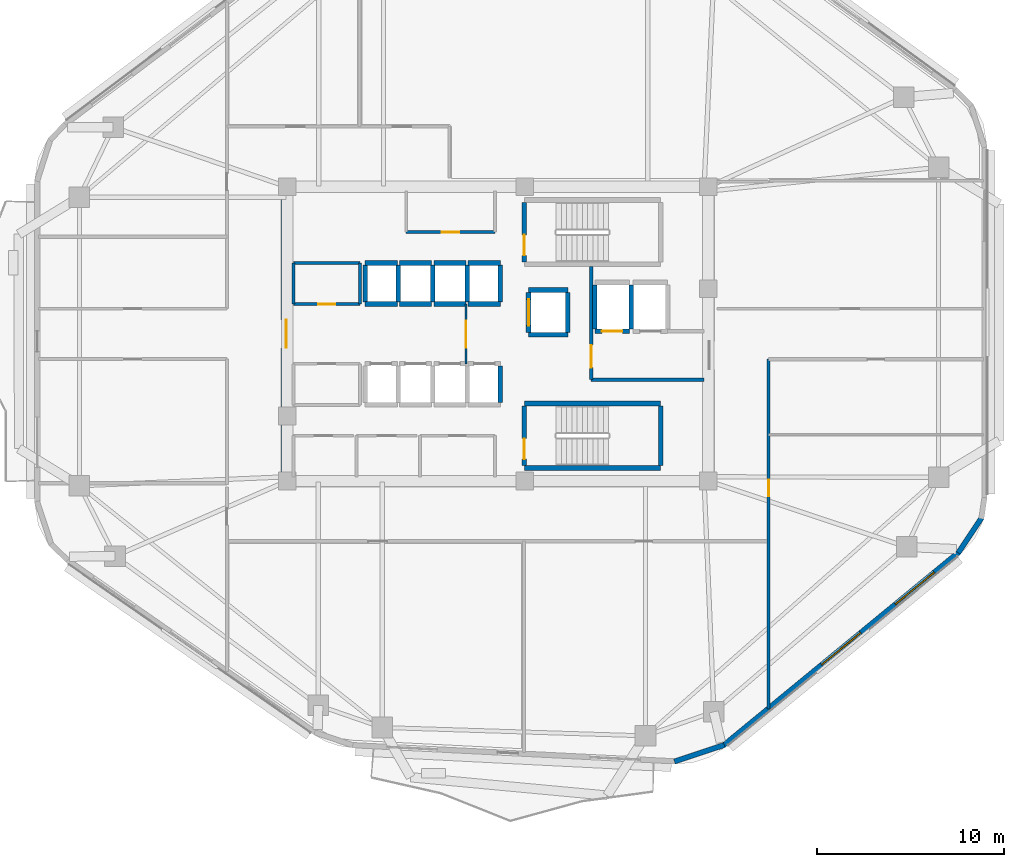
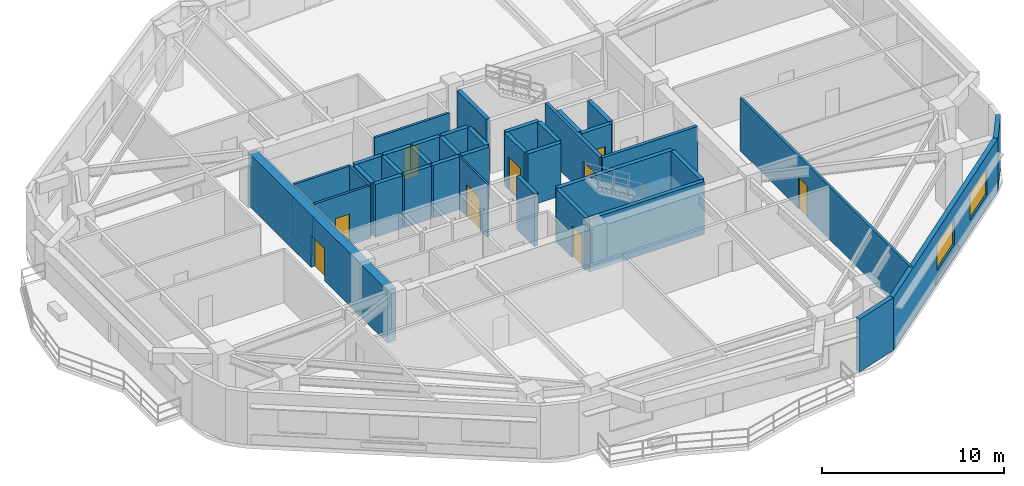
# One storey, part 4 of 9: 39 walls, 10 doors, 2 windows, 12 openings.
"""IFC4 building model written with IfcOpenShell, lengths in metres."""

from ifc_helpers import new_model, si_unit, direction, frame, frame_2d, origin, place, context, subcontext, project, spatial, rectangle, extrude, material, layer, layer_set, type_object, element, fill, save


model = new_model("IFC4")

# Units and contexts
model_context = context("Model", 3, precision=1e-05, world=origin(), true_north=direction((0.0, 1.0)))
body_context = subcontext(model_context, "Body", "Model", "MODEL_VIEW")
ifc_project = project(units=[si_unit("LENGTHUNIT", "METRE"), si_unit("AREAUNIT", "SQUARE_METRE"), si_unit("VOLUMEUNIT", "CUBIC_METRE"), si_unit("PLANEANGLEUNIT", "RADIAN"), si_unit("MASSUNIT", "GRAM", prefix="KILO")], contexts=[model_context])

# Site, building, storey
site_placement = place(None, origin())
site = spatial("IfcSite", under=ifc_project, at=site_placement, CompositionType="ELEMENT")
building_placement = place(site_placement, origin())
building = spatial("IfcBuilding", under=site, at=building_placement, Name="Zulverin Broadcast Headquarters", CompositionType="ELEMENT")
storey_placement = place(building_placement, frame((0.0, 0.0, 144.0)))
storey = spatial("IfcBuildingStorey", under=building, at=storey_placement, Name="L36", CompositionType="ELEMENT", Elevation=144.0)

# Wall, opening, door
ifc_material_1 = material(Name="Concrete C60/75", Category="concrete")
ifc_layer_1 = layer(ifc_material_1, 0.550048828125, Name="Concrete C60/75", Category="concrete")
ifc_layer_set_1 = layer_set([ifc_layer_1], Name="Concrete C60/75")
wall_type_1 = type_object("IfcWallType", Name="WL-CORE-550", PredefinedType="SHEAR", material=ifc_layer_set_1)
wall_1_placement = place(storey_placement, frame((25.675048828125, 17.550048828125, 0.0), z_axis=(0.0, 0.0, 1.0), x_axis=(0.0, 1.0, 0.0)))
wall_1 = element("IfcWall", 1, at=wall_1_placement, inside=storey, type_object=wall_type_1, Name="L36 Core West Shear Wall", PredefinedType="SHEAR", context=body_context, shape_type="SweptSolid", body=[
    extrude(rectangle(XDim=15.300048828125, YDim=0.550048828125, at=frame_2d((7.64990234375, 0.0))), origin(), (0.0, 0.0, 1.0), 3.5400390625),
])
opening_1_placement = place(wall_1_placement, frame((6.89990234375, 0.0, 0.0)))
opening_1 = element("IfcOpeningElement", 2, at=opening_1_placement, cuts=wall_1, Name="Opening D-L36-CW1", PredefinedType="OPENING", context=body_context, shape_type="SweptSolid", body=[
    extrude(rectangle(XDim=1.5, YDim=2.14990234375, at=frame_2d((0.75, 1.074951171875))), frame((0.0, 0.284912109375, 0.0), z_axis=(0.0, -1.0, 0.0), x_axis=(1.0, 0.0, 0.0)), (0.0, 0.0, 1.0), 0.570068359375),
])
ifc_material_2 = material(Name="Fire-rated glazed steel frame", Category="steel")
door_type_1 = type_object("IfcDoorType", Name="DR-COR-1500", OperationType="DOUBLE_DOOR_SINGLE_SWING", PredefinedType="DOOR", material=ifc_material_2)
door_1_placement = place(opening_1_placement, origin())
door_1 = element("IfcDoor", 3, at=door_1_placement, inside=storey, type_object=door_type_1, Name="L36 Central Lift Lobby West Portal Door", OperationType="DOUBLE_DOOR_SINGLE_SWING", OverallHeight=2.14990234375, OverallWidth=1.5, PredefinedType="DOOR", context=body_context, shape_type="SweptSolid", body=[
    extrude(rectangle(XDim=1.5, YDim=2.14990234375, at=frame_2d((0.75, 1.074951171875))), frame((0.0, 0.02490234375, 0.0), z_axis=(0.0, -1.0, 0.0), x_axis=(1.0, 0.0, 0.0)), (0.0, 0.0, 1.0), 0.050048828125),
])
fill(opening_1, door_1)

# Wall, openings, windows
ifc_material_3 = material(Name="Insulated pale-metal clad concrete spandrel C40/50", Category="concrete")
ifc_layer_2 = layer(ifc_material_3, 0.280029296875, Name="Insulated pale-metal clad concrete spandrel C40/50", Category="concrete")
ifc_layer_set_2 = layer_set([ifc_layer_2], Name="Insulated pale-metal clad concrete spandrel C40/50")
wall_type_2 = type_object("IfcWallType", Name="WL-EXT-280", PredefinedType="STANDARD", material=ifc_layer_set_2)
wall_2_placement = place(storey_placement, frame((49.080078125, 3.164306640625, 0.0), z_axis=(0.0, 0.0, 1.0), x_axis=(0.772937830186, 0.634481765433, 0.0)))
wall_2 = element("IfcWall", 4, at=wall_2_placement, inside=storey, type_object=wall_type_2, Name="L36 Pale-Metal Clad Spandrel Wall 2", PredefinedType="STANDARD", context=body_context, shape_type="SweptSolid", body=[
    extrude(rectangle(XDim=16.308837890625, YDim=0.280029296875, at=frame_2d((8.154296875, 0.0))), origin(), (0.0, 0.0, 1.0), 3.5400390625),
])
opening_2_placement = place(wall_2_placement, frame((6.804443359375, 0.0, 0.89990234375)))
opening_2 = element("IfcOpeningElement", 5, at=opening_2_placement, cuts=wall_2, Name="Opening W-L36-E21", PredefinedType="OPENING", context=body_context, shape_type="SweptSolid", body=[
    extrude(rectangle(XDim=2.699951171875, YDim=1.75, at=frame_2d((1.35009765625, 0.875))), frame((0.0, 0.14990234375, 0.0), z_axis=(0.0, -1.0, 0.0), x_axis=(1.0, 0.0, 0.0)), (0.0, 0.0, 1.0), 0.300048828125),
])
opening_3_placement = place(wall_2_placement, frame((11.9072265625, 0.0, 0.89990234375)))
opening_3 = element("IfcOpeningElement", 6, at=opening_3_placement, cuts=wall_2, Name="Opening W-L36-E22", PredefinedType="OPENING", context=body_context, shape_type="SweptSolid", body=[
    extrude(rectangle(XDim=2.699951171875, YDim=1.75, at=frame_2d((1.35009765625, 0.875))), frame((0.0, 0.14990234375, 0.0), z_axis=(0.0, -1.0, 0.0), x_axis=(1.0, 0.0, 0.0)), (0.0, 0.0, 1.0), 0.300048828125),
])
ifc_material_4 = material(Name="Pale anodized aluminium frame with solar-control low-E double glazing", Category="aluminium")
window_type = type_object("IfcWindowType", Name="WIN-TWR-2700", PartitioningType="SINGLE_PANEL", PredefinedType="WINDOW", material=ifc_material_4)
window_1_placement = place(opening_2_placement, origin())
window_1 = element("IfcWindow", 7, at=window_1_placement, inside=storey, type_object=window_type, Name="L36 Ribbon Glazing Window 2 1", OverallHeight=1.75, OverallWidth=2.699951171875, PartitioningType="SINGLE_PANEL", PredefinedType="WINDOW", context=body_context, shape_type="SweptSolid", body=[
    extrude(rectangle(XDim=2.699951171875, YDim=1.75, at=frame_2d((1.35009765625, 0.875))), frame((0.0, 0.030029296875, 0.0), z_axis=(0.0, -1.0, 0.0), x_axis=(1.0, 0.0, 0.0)), (0.0, 0.0, 1.0), 0.06005859375),
])
fill(opening_2, window_1)
window_2_placement = place(opening_3_placement, origin())
window_2 = element("IfcWindow", 8, at=window_2_placement, inside=storey, type_object=window_type, Name="L36 Ribbon Glazing Window 2 2", OverallHeight=1.75, OverallWidth=2.699951171875, PartitioningType="SINGLE_PANEL", PredefinedType="WINDOW", context=body_context, shape_type="SweptSolid", body=[
    extrude(rectangle(XDim=2.699951171875, YDim=1.75, at=frame_2d((1.35009765625, 0.875))), frame((0.0, 0.030029296875, 0.0), z_axis=(0.0, -1.0, 0.0), x_axis=(1.0, 0.0, 0.0)), (0.0, 0.0, 1.0), 0.06005859375),
])
fill(opening_3, window_2)

# Walls
wall_3_placement = place(storey_placement, frame((46.455078125, 2.30859375, 0.0), z_axis=(0.0, 0.0, 1.0), x_axis=(0.949677222099, 0.313230224955, 0.0)))
element("IfcWall", 9, at=wall_3_placement, inside=storey, type_object=wall_type_2, Name="L36 Wind-Shaped Corner Spandrel Wall 1-1", PredefinedType="STANDARD", context=body_context, shape_type="SweptSolid", body=[
    extrude(rectangle(XDim=2.811279296875, YDim=0.280029296875, at=frame_2d((1.40576171875, 0.0))), origin(), (0.0, 0.0, 1.0), 3.5400390625),
])
wall_4_placement = place(storey_placement, frame((61.658203125, 13.481689453125, 0.0), z_axis=(0.0, 0.0, 1.0), x_axis=(0.555521224344, 0.831502356764, 0.0)))
element("IfcWall", 10, at=wall_4_placement, inside=storey, type_object=wall_type_2, Name="L36 Wind-Shaped Corner Spandrel Wall 2-1", PredefinedType="STANDARD", context=body_context, shape_type="SweptSolid", body=[
    extrude(rectangle(XDim=2.263671875, YDim=0.280029296875, at=frame_2d((1.1318359375, 0.0))), origin(), (0.0, 0.0, 1.0), 3.5400390625),
])

# Wall, opening, door
ifc_material_5 = material(Name="Concrete C40/50", Category="concrete")
ifc_layer_3 = layer(ifc_material_5, 0.199951171875, Name="Concrete C40/50", Category="concrete")
ifc_layer_set_3 = layer_set([ifc_layer_3], Name="Concrete C40/50")
wall_type_3 = type_object("IfcWallType", Name="WL-FFL-200", PredefinedType="SOLIDWALL", material=ifc_layer_set_3)
wall_5_placement = place(storey_placement, frame((42.0, 22.75, 0.0), z_axis=(0.0, 0.0, 1.0), x_axis=(0.0, 1.0, 0.0)))
wall_5 = element("IfcWall", 11, at=wall_5_placement, inside=storey, type_object=wall_type_3, Name="L36 Firefighting Lift Lobby West Wall", PredefinedType="SOLIDWALL", context=body_context, shape_type="SweptSolid", body=[
    extrude(rectangle(XDim=6.050048828125, YDim=0.199951171875, at=frame_2d((3.02490234375, 0.0))), origin(), (0.0, 0.0, 1.0), 3.5400390625),
])
opening_4_placement = place(wall_5_placement, frame((0.64990234375, 0.0, 0.0)))
opening_4 = element("IfcOpeningElement", 12, at=opening_4_placement, cuts=wall_5, Name="Opening D-L36-FFLW", PredefinedType="OPENING", context=body_context, shape_type="SweptSolid", body=[
    extrude(rectangle(XDim=1.199951171875, YDim=2.14990234375, at=frame_2d((0.60009765625, 1.074951171875))), frame((0.0, 0.10986328125, 0.0), z_axis=(0.0, -1.0, 0.0), x_axis=(1.0, 0.0, 0.0)), (0.0, 0.0, 1.0), 0.219970703125),
])
ifc_material_6 = material(Name="Fire-rated steel leaf and frame", Category="steel")
door_type_2 = type_object("IfcDoorType", Name="DR-FFL-1200", OperationType="SINGLE_SWING_RIGHT", PredefinedType="DOOR", material=ifc_material_6)
door_2_placement = place(opening_4_placement, origin())
door_2 = element("IfcDoor", 13, at=door_2_placement, inside=storey, type_object=door_type_2, Name="L36 Firefighting Lift Lobby Door", OperationType="SINGLE_SWING_RIGHT", OverallHeight=2.14990234375, OverallWidth=1.199951171875, PredefinedType="DOOR", context=body_context, shape_type="SweptSolid", body=[
    extrude(rectangle(XDim=1.199951171875, YDim=2.14990234375, at=frame_2d((0.60009765625, 1.074951171875))), frame((0.0, 0.02490234375, 0.0), z_axis=(0.0, -1.0, 0.0), x_axis=(1.0, 0.0, 0.0)), (0.0, 0.0, 1.0), 0.050048828125),
])
fill(opening_4, door_2)

# Wall
wall_6_placement = place(storey_placement, frame((42.0, 22.75, 0.0), z_axis=(0.0, 0.0, 1.0), x_axis=(1.0, 0.0, 0.0)))
element("IfcWall", 14, at=wall_6_placement, inside=storey, type_object=wall_type_3, Name="L36 Firefighting Lift Lobby South Wall", PredefinedType="SOLIDWALL", context=body_context, shape_type="SweptSolid", body=[
    extrude(rectangle(XDim=6.050048828125, YDim=0.199951171875, at=frame_2d((3.02490234375, 0.0))), origin(), (0.0, 0.0, 1.0), 3.5400390625),
])

# Wall, opening, door
ifc_material_7 = material(Name="Fire-rated acoustic laminated glass screen", Category="glass")
ifc_layer_4 = layer(ifc_material_7, 0.10009765625, Name="Fire-rated acoustic laminated glass screen", Category="glass")
ifc_layer_set_4 = layer_set([ifc_layer_4], Name="Fire-rated acoustic laminated glass screen")
wall_type_4 = type_object("IfcWallType", Name="WL-GLAZ-100", PredefinedType="PARTITIONING", material=ifc_layer_set_4)
wall_7_placement = place(storey_placement, frame((35.300048828125, 23.60009765625, 0.0), z_axis=(0.0, 0.0, 1.0), x_axis=(0.0, 1.0, 0.0)))
wall_7 = element("IfcWall", 15, at=wall_7_placement, inside=storey, type_object=wall_type_4, Name="L36 Central Core Smoke Vestibule Screen", PredefinedType="PARTITIONING", context=body_context, shape_type="SweptSolid", body=[
    extrude(rectangle(XDim=3.199951171875, YDim=0.10009765625, at=frame_2d((1.60009765625, 0.0))), origin(), (0.0, 0.0, 1.0), 3.5400390625),
])
opening_5_placement = place(wall_7_placement, frame((0.85009765625, 0.0, 0.0)))
opening_5 = element("IfcOpeningElement", 16, at=opening_5_placement, cuts=wall_7, Name="Opening D-L36-CL2", PredefinedType="OPENING", context=body_context, shape_type="SweptSolid", body=[
    extrude(rectangle(XDim=1.449951171875, YDim=2.1201171875, at=frame_2d((0.72509765625, 1.06005859375))), frame((0.0, 0.06005859375, 0.0), z_axis=(0.0, -1.0, 0.0), x_axis=(1.0, 0.0, 0.0)), (0.0, 0.0, 1.0), 0.1201171875),
])
ifc_material_8 = material(Name="Fire-rated acoustic glazed double leaf", Category="glass")
door_type_3 = type_object("IfcDoorType", Name="DR-GLZ-1450", OperationType="DOUBLE_DOOR_SINGLE_SWING", PredefinedType="DOOR", material=ifc_material_8)
door_3_placement = place(opening_5_placement, origin())
door_3 = element("IfcDoor", 17, at=door_3_placement, inside=storey, type_object=door_type_3, Name="L36 Central Core Smoke Vestibule Door", OperationType="DOUBLE_DOOR_SINGLE_SWING", OverallHeight=2.1201171875, OverallWidth=1.449951171875, PredefinedType="DOOR", context=body_context, shape_type="SweptSolid", body=[
    extrude(rectangle(XDim=1.449951171875, YDim=2.1201171875, at=frame_2d((0.72509765625, 1.06005859375))), frame((0.0, 0.02490234375, 0.0), z_axis=(0.0, -1.0, 0.0), x_axis=(1.0, 0.0, 0.0)), (0.0, 0.0, 1.0), 0.050048828125),
])
fill(opening_5, door_3)

ifc_material_9 = material(Name="Fire-rated gypsum stud partition", Category="gypsum")
ifc_layer_5 = layer(ifc_material_9, 0.14990234375, Name="Fire-rated gypsum stud partition", Category="gypsum")
ifc_layer_set_5 = layer_set([ifc_layer_5], Name="Fire-rated gypsum stud partition")
wall_type_5 = type_object("IfcWallType", Name="WL-PART-150", PredefinedType="PARTITIONING", material=ifc_layer_set_5)
wall_8_placement = place(storey_placement, frame((32.10009765625, 30.64990234375, 0.0), z_axis=(0.0, 0.0, 1.0), x_axis=(1.0, 0.0, 0.0)))
wall_8 = element("IfcWall", 18, at=wall_8_placement, inside=storey, type_object=wall_type_5, Name="L36 Core Accessible WC & Electrical Riser Front Wall", PredefinedType="PARTITIONING", context=body_context, shape_type="SweptSolid", body=[
    extrude(rectangle(XDim=4.75, YDim=0.14990234375, at=frame_2d((2.375, 0.0))), origin(), (0.0, 0.0, 1.0), 3.5400390625),
])
opening_6_placement = place(wall_8_placement, frame((1.89990234375, 0.0, 0.0)))
opening_6 = element("IfcOpeningElement", 19, at=opening_6_placement, cuts=wall_8, Name="Opening D-L36-NC1", PredefinedType="OPENING", context=body_context, shape_type="SweptSolid", body=[
    extrude(rectangle(XDim=0.949951171875, YDim=2.10009765625, at=frame_2d((0.47509765625, 1.050048828125))), frame((0.0, 0.0849609375, 0.0), z_axis=(0.0, -1.0, 0.0), x_axis=(1.0, 0.0, 0.0)), (0.0, 0.0, 1.0), 0.169921875),
])
ifc_material_10 = material(Name="Fire-rated moisture-resistant laminate leaf", Category="wood")
door_type_4 = type_object("IfcDoorType", Name="DR-WC-950", OperationType="SINGLE_SWING_LEFT", PredefinedType="DOOR", material=ifc_material_10)
door_4_placement = place(opening_6_placement, origin())
door_4 = element("IfcDoor", 20, at=door_4_placement, inside=storey, type_object=door_type_4, Name="L36 Accessible WC & Electrical Riser Door", OperationType="SINGLE_SWING_LEFT", OverallHeight=2.10009765625, OverallWidth=0.949951171875, PredefinedType="DOOR", context=body_context, shape_type="SweptSolid", body=[
    extrude(rectangle(XDim=0.949951171875, YDim=2.10009765625, at=frame_2d((0.47509765625, 1.050048828125))), frame((0.0, 0.02490234375, 0.0), z_axis=(0.0, -1.0, 0.0), x_axis=(1.0, 0.0, 0.0)), (0.0, 0.0, 1.0), 0.050048828125),
])
fill(opening_6, door_4)

wall_9_placement = place(storey_placement, frame((26.070068359375, 26.800048828125, 0.0), z_axis=(0.0, 0.0, 1.0), x_axis=(1.0, 0.0, 0.0)))
wall_9 = element("IfcWall", 21, at=wall_9_placement, inside=storey, type_object=wall_type_5, Name="L36 Broadcast Signal Patch Room S Wall", PredefinedType="PARTITIONING", context=body_context, shape_type="SweptSolid", body=[
    extrude(rectangle(XDim=3.550048828125, YDim=0.14990234375, at=frame_2d((1.77490234375, 0.0))), origin(), (0.0, 0.0, 1.0), 3.5400390625),
])
opening_7_placement = place(wall_9_placement, frame((1.324951171875, 0.0, 0.0)))
opening_7 = element("IfcOpeningElement", 22, at=opening_7_placement, cuts=wall_9, Name="Opening D-L36-RCLN", PredefinedType="OPENING", context=body_context, shape_type="SweptSolid", body=[
    extrude(rectangle(XDim=0.89990234375, YDim=2.10009765625, at=frame_2d((0.449951171875, 1.050048828125))), frame((0.0, 0.0849609375, 0.0), z_axis=(0.0, -1.0, 0.0), x_axis=(1.0, 0.0, 0.0)), (0.0, 0.0, 1.0), 0.169921875),
])
ifc_material_11 = material(Name="Powder-coated steel access leaf", Category="steel")
door_type_5 = type_object("IfcDoorType", Name="DR-RISER-900", OperationType="SINGLE_SWING_LEFT", PredefinedType="DOOR", material=ifc_material_11)
door_5_placement = place(opening_7_placement, origin())
door_5 = element("IfcDoor", 23, at=door_5_placement, inside=storey, type_object=door_type_5, Name="L36 Broadcast Signal Patch Room Door", OperationType="SINGLE_SWING_LEFT", OverallHeight=2.10009765625, OverallWidth=0.89990234375, PredefinedType="DOOR", context=body_context, shape_type="SweptSolid", body=[
    extrude(rectangle(XDim=0.89990234375, YDim=2.10009765625, at=frame_2d((0.449951171875, 1.050048828125))), frame((0.0, 0.02490234375, 0.0), z_axis=(0.0, -1.0, 0.0), x_axis=(1.0, 0.0, 0.0)), (0.0, 0.0, 1.0), 0.050048828125),
])
fill(opening_7, door_5)

# Walls
wall_10_placement = place(storey_placement, frame((26.070068359375, 29.0, 0.0), z_axis=(0.0, 0.0, 1.0), x_axis=(1.0, 0.0, 0.0)))
element("IfcWall", 24, at=wall_10_placement, inside=storey, type_object=wall_type_5, Name="L36 Broadcast Signal Patch Room N Wall", PredefinedType="PARTITIONING", context=body_context, shape_type="SweptSolid", body=[
    extrude(rectangle(XDim=3.550048828125, YDim=0.14990234375, at=frame_2d((1.77490234375, 0.0))), origin(), (0.0, 0.0, 1.0), 3.5400390625),
])
wall_11_placement = place(storey_placement, frame((26.070068359375, 26.800048828125, 0.0), z_axis=(0.0, 0.0, 1.0), x_axis=(0.0, 1.0, 0.0)))
element("IfcWall", 25, at=wall_11_placement, inside=storey, type_object=wall_type_5, Name="L36 Broadcast Signal Patch Room W Wall", PredefinedType="PARTITIONING", context=body_context, shape_type="SweptSolid", body=[
    extrude(rectangle(XDim=2.199951171875, YDim=0.14990234375, at=frame_2d((1.10009765625, 0.0))), origin(), (0.0, 0.0, 1.0), 2.639892578125),
])
wall_12_placement = place(storey_placement, frame((29.6201171875, 26.800048828125, 0.0), z_axis=(0.0, 0.0, 1.0), x_axis=(0.0, 1.0, 0.0)))
element("IfcWall", 26, at=wall_12_placement, inside=storey, type_object=wall_type_5, Name="L36 Broadcast Signal Patch Room E Wall", PredefinedType="PARTITIONING", context=body_context, shape_type="SweptSolid", body=[
    extrude(rectangle(XDim=2.199951171875, YDim=0.14990234375, at=frame_2d((1.10009765625, 0.0))), origin(), (0.0, 0.0, 1.0), 3.5400390625),
])

# Wall, opening, door
wall_13_placement = place(storey_placement, frame((51.5, 5.10986328125, 0.0), z_axis=(0.0, 0.0, 1.0), x_axis=(0.0, 1.0, 0.0)))
wall_13 = element("IfcWall", 27, at=wall_13_placement, inside=storey, type_object=wall_type_5, Name="L36 Gallery Partition Wall CG-01", PredefinedType="PARTITIONING", context=body_context, shape_type="SweptSolid", body=[
    extrude(rectangle(XDim=18.740234375, YDim=0.14990234375, at=frame_2d((9.3701171875, 0.0))), origin(), (0.0, 0.0, 1.0), 3.5400390625),
])
opening_8_placement = place(wall_13_placement, frame((11.39013671875, 0.0, 0.0)))
opening_8 = element("IfcOpeningElement", 28, at=opening_8_placement, cuts=wall_13, Name="Opening D-L36-09", PredefinedType="OPENING", context=body_context, shape_type="SweptSolid", body=[
    extrude(rectangle(XDim=0.89990234375, YDim=2.10009765625, at=frame_2d((0.449951171875, 1.050048828125))), frame((0.0, 0.0849609375, 0.0), z_axis=(0.0, -1.0, 0.0), x_axis=(1.0, 0.0, 0.0)), (0.0, 0.0, 1.0), 0.169921875),
])
ifc_material_12 = material(Name="Fire-rated hardwood veneer timber leaf", Category="wood")
door_type_6 = type_object("IfcDoorType", Name="DR-ROOM-900", OperationType="SINGLE_SWING_RIGHT", PredefinedType="DOOR", material=ifc_material_12)
door_6_placement = place(opening_8_placement, origin())
door_6 = element("IfcDoor", 29, at=door_6_placement, inside=storey, type_object=door_type_6, Name="L36 Tea Pantry Door", OperationType="SINGLE_SWING_RIGHT", OverallHeight=2.10009765625, OverallWidth=0.89990234375, PredefinedType="DOOR", context=body_context, shape_type="SweptSolid", body=[
    extrude(rectangle(XDim=0.89990234375, YDim=2.10009765625, at=frame_2d((0.449951171875, 1.050048828125))), frame((0.0, 0.02490234375, 0.0), z_axis=(0.0, -1.0, 0.0), x_axis=(1.0, 0.0, 0.0)), (0.0, 0.0, 1.0), 0.050048828125),
])
fill(opening_8, door_6)

ifc_material_13 = material(Name="Concrete C50/60", Category="concrete")
ifc_layer_6 = layer(ifc_material_13, 0.25, Name="Concrete C50/60", Category="concrete")
ifc_layer_set_6 = layer_set([ifc_layer_6], Name="Concrete C50/60")
wall_type_6 = type_object("IfcWallType", Name="WL-SHAFT-250", PredefinedType="SHEAR", material=ifc_layer_set_6)
wall_14_placement = place(storey_placement, frame((38.425048828125, 29.050048828125, 0.0), z_axis=(0.0, 0.0, 1.0), x_axis=(0.0, 1.0, 0.0)))
wall_14 = element("IfcWall", 30, at=wall_14_placement, inside=storey, type_object=wall_type_6, Name="L36 ST-1 Enclosure Wall W", PredefinedType="SHEAR", context=body_context, shape_type="SweptSolid", body=[
    extrude(rectangle(XDim=3.199951171875, YDim=0.25, at=frame_2d((1.60009765625, 0.0))), origin(), (0.0, 0.0, 1.0), 3.5400390625),
])
opening_9_placement = place(wall_14_placement, frame((0.35009765625, 0.0, 0.0)))
opening_9 = element("IfcOpeningElement", 31, at=opening_9_placement, cuts=wall_14, Name="Opening D-L36-ST-1", PredefinedType="OPENING", context=body_context, shape_type="SweptSolid", body=[
    extrude(rectangle(XDim=1.10009765625, YDim=2.14990234375, at=frame_2d((0.550048828125, 1.074951171875))), frame((0.0, 0.135009765625, 0.0), z_axis=(0.0, -1.0, 0.0), x_axis=(1.0, 0.0, 0.0)), (0.0, 0.0, 1.0), 0.27001953125),
])
door_type_7 = type_object("IfcDoorType", Name="DR-STAIR-1100", OperationType="SINGLE_SWING_LEFT", PredefinedType="DOOR", material=ifc_material_6)
door_7_placement = place(opening_9_placement, origin())
door_7 = element("IfcDoor", 32, at=door_7_placement, inside=storey, type_object=door_type_7, Name="L36 Exit Stair ST-1 Fire Door", OperationType="SINGLE_SWING_LEFT", OverallHeight=2.14990234375, OverallWidth=1.10009765625, PredefinedType="DOOR", context=body_context, shape_type="SweptSolid", body=[
    extrude(rectangle(XDim=1.10009765625, YDim=2.14990234375, at=frame_2d((0.550048828125, 1.074951171875))), frame((0.0, 0.02490234375, 0.0), z_axis=(0.0, -1.0, 0.0), x_axis=(1.0, 0.0, 0.0)), (0.0, 0.0, 1.0), 0.050048828125),
])
fill(opening_9, door_7)

# Walls
for number, where, z_axis, x_axis, name in (
    (33, (38.425048828125, 18.02490234375, 0.0), (0.0, 0.0, 1.0), (1.0, 0.0, 0.0), "L36 ST-2 Enclosure Wall S"),
    (34, (38.425048828125, 21.47509765625, 0.0), (0.0, 0.0, 1.0), (1.0, 0.0, 0.0), "L36 ST-2 Enclosure Wall N"),
):
    element("IfcWall", number, at=place(storey_placement, frame(where, z_axis=z_axis, x_axis=x_axis)), inside=storey, type_object=wall_type_6, Name=name, PredefinedType="SHEAR", context=body_context, shape_type="SweptSolid", body=[
        extrude(rectangle(XDim=7.300048828125, YDim=0.25, at=frame_2d((3.64990234375, 0.0))), origin(), (0.0, 0.0, 1.0), 3.5400390625),
    ])

# Wall, opening, door
wall_15_placement = place(storey_placement, frame((38.425048828125, 18.14990234375, 0.0), z_axis=(0.0, 0.0, 1.0), x_axis=(0.0, 1.0, 0.0)))
wall_15 = element("IfcWall", 35, at=wall_15_placement, inside=storey, type_object=wall_type_6, Name="L36 ST-2 Enclosure Wall W", PredefinedType="SHEAR", context=body_context, shape_type="SweptSolid", body=[
    extrude(rectangle(XDim=3.2001953125, YDim=0.25, at=frame_2d((1.60009765625, 0.0))), origin(), (0.0, 0.0, 1.0), 3.5400390625),
])
opening_10_placement = place(wall_15_placement, frame((0.35009765625, 0.0, 0.0)))
opening_10 = element("IfcOpeningElement", 36, at=opening_10_placement, cuts=wall_15, Name="Opening D-L36-ST-2", PredefinedType="OPENING", context=body_context, shape_type="SweptSolid", body=[
    extrude(rectangle(XDim=1.10009765625, YDim=2.14990234375, at=frame_2d((0.550048828125, 1.074951171875))), frame((0.0, 0.135009765625, 0.0), z_axis=(0.0, -1.0, 0.0), x_axis=(1.0, 0.0, 0.0)), (0.0, 0.0, 1.0), 0.27001953125),
])
door_8_placement = place(opening_10_placement, origin())
door_8 = element("IfcDoor", 37, at=door_8_placement, inside=storey, type_object=door_type_7, Name="L36 Exit Stair ST-2 Fire Door", OperationType="SINGLE_SWING_RIGHT", OverallHeight=2.14990234375, OverallWidth=1.10009765625, PredefinedType="DOOR", context=body_context, shape_type="SweptSolid", body=[
    extrude(rectangle(XDim=1.10009765625, YDim=2.14990234375, at=frame_2d((0.550048828125, 1.074951171875))), frame((0.0, 0.02490234375, 0.0), z_axis=(0.0, -1.0, 0.0), x_axis=(1.0, 0.0, 0.0)), (0.0, 0.0, 1.0), 0.050048828125),
])
fill(opening_10, door_8)

# Walls
wall_16_placement = place(storey_placement, frame((45.72509765625, 18.14990234375, 0.0), z_axis=(0.0, 0.0, 1.0), x_axis=(0.0, 1.0, 0.0)))
element("IfcWall", 38, at=wall_16_placement, inside=storey, type_object=wall_type_6, Name="L36 ST-2 Enclosure Wall E", PredefinedType="SHEAR", context=body_context, shape_type="SweptSolid", body=[
    extrude(rectangle(XDim=3.2001953125, YDim=0.25, at=frame_2d((1.60009765625, 0.0))), origin(), (0.0, 0.0, 1.0), 3.5400390625),
])
wall_17_placement = place(storey_placement, frame((37.139892578125, 21.52001953125, 0.0), z_axis=(0.0, 0.0, 1.0), x_axis=(0.0, 1.0, 0.0)))
element("IfcWall", 39, at=wall_17_placement, inside=storey, type_object=wall_type_6, Name="L36 Lift PL-M4 Shaft Wall E", PredefinedType="SHEAR", context=body_context, shape_type="SweptSolid", body=[
    extrude(rectangle(XDim=1.9599609375, YDim=0.25, at=frame_2d((0.97998046875, 0.0))), origin(), (0.0, 0.0, 1.0), 3.5400390625),
])
for number, where, z_axis, x_axis, name in (
    (40, (29.89990234375, 26.800048828125, 0.0), (0.0, 0.0, 1.0), (1.0, 0.0, 0.0), "L36 Lift PL-H1 Shaft Wall S"),
    (41, (29.89990234375, 29.0, 0.0), (0.0, 0.0, 1.0), (1.0, 0.0, 0.0), "L36 Lift PL-H1 Shaft Wall N"),
):
    element("IfcWall", number, at=place(storey_placement, frame(where, z_axis=z_axis, x_axis=x_axis)), inside=storey, type_object=wall_type_6, Name=name, PredefinedType="SHEAR", context=body_context, shape_type="SweptSolid", body=[
        extrude(rectangle(XDim=1.72021484375, YDim=0.25, at=frame_2d((0.860107421875, 0.0))), origin(), (0.0, 0.0, 1.0), 3.5400390625),
    ])
for number, where, z_axis, x_axis, name in (
    (42, (29.89990234375, 26.919921875, 0.0), (0.0, 0.0, 1.0), (0.0, 1.0, 0.0), "L36 Lift PL-H1 Shaft Wall W"),
    (43, (31.679931640625, 26.919921875, 0.0), (0.0, 0.0, 1.0), (0.0, 1.0, 0.0), "L36 Lift PL-H1 Shaft Wall E"),
):
    element("IfcWall", number, at=place(storey_placement, frame(where, z_axis=z_axis, x_axis=x_axis)), inside=storey, type_object=wall_type_6, Name=name, PredefinedType="SHEAR", context=body_context, shape_type="SweptSolid", body=[
        extrude(rectangle(XDim=1.9599609375, YDim=0.25, at=frame_2d((0.97998046875, 0.0))), origin(), (0.0, 0.0, 1.0), 3.5400390625),
    ])
for number, where, z_axis, x_axis, name in (
    (44, (31.739990234375, 26.800048828125, 0.0), (0.0, 0.0, 1.0), (1.0, 0.0, 0.0), "L36 Lift PL-H2 Shaft Wall S"),
    (45, (31.739990234375, 29.0, 0.0), (0.0, 0.0, 1.0), (1.0, 0.0, 0.0), "L36 Lift PL-H2 Shaft Wall N"),
):
    element("IfcWall", number, at=place(storey_placement, frame(where, z_axis=z_axis, x_axis=x_axis)), inside=storey, type_object=wall_type_6, Name=name, PredefinedType="SHEAR", context=body_context, shape_type="SweptSolid", body=[
        extrude(rectangle(XDim=1.719970703125, YDim=0.25, at=frame_2d((0.85986328125, 0.0))), origin(), (0.0, 0.0, 1.0), 3.5400390625),
    ])
wall_18_placement = place(storey_placement, frame((33.52001953125, 26.919921875, 0.0), z_axis=(0.0, 0.0, 1.0), x_axis=(0.0, 1.0, 0.0)))
element("IfcWall", 46, at=wall_18_placement, inside=storey, type_object=wall_type_6, Name="L36 Lift PL-H2 Shaft Wall E", PredefinedType="SHEAR", context=body_context, shape_type="SweptSolid", body=[
    extrude(rectangle(XDim=1.9599609375, YDim=0.25, at=frame_2d((0.97998046875, 0.0))), origin(), (0.0, 0.0, 1.0), 3.5400390625),
])
for number, where, z_axis, x_axis, name in (
    (47, (33.580078125, 26.800048828125, 0.0), (0.0, 0.0, 1.0), (1.0, 0.0, 0.0), "L36 Lift PL-H3 Shaft Wall S"),
    (48, (33.580078125, 29.0, 0.0), (0.0, 0.0, 1.0), (1.0, 0.0, 0.0), "L36 Lift PL-H3 Shaft Wall N"),
):
    element("IfcWall", number, at=place(storey_placement, frame(where, z_axis=z_axis, x_axis=x_axis)), inside=storey, type_object=wall_type_6, Name=name, PredefinedType="SHEAR", context=body_context, shape_type="SweptSolid", body=[
        extrude(rectangle(XDim=1.719970703125, YDim=0.25, at=frame_2d((0.85986328125, 0.0))), origin(), (0.0, 0.0, 1.0), 3.5400390625),
    ])
wall_19_placement = place(storey_placement, frame((35.360107421875, 26.919921875, 0.0), z_axis=(0.0, 0.0, 1.0), x_axis=(0.0, 1.0, 0.0)))
element("IfcWall", 49, at=wall_19_placement, inside=storey, type_object=wall_type_6, Name="L36 Lift PL-H3 Shaft Wall E", PredefinedType="SHEAR", context=body_context, shape_type="SweptSolid", body=[
    extrude(rectangle(XDim=1.9599609375, YDim=0.25, at=frame_2d((0.97998046875, 0.0))), origin(), (0.0, 0.0, 1.0), 3.5400390625),
])
for number, where, z_axis, x_axis, name in (
    (50, (35.419921875, 26.800048828125, 0.0), (0.0, 0.0, 1.0), (1.0, 0.0, 0.0), "L36 Lift PL-H4 Shaft Wall S"),
    (51, (35.419921875, 29.0, 0.0), (0.0, 0.0, 1.0), (1.0, 0.0, 0.0), "L36 Lift PL-H4 Shaft Wall N"),
):
    element("IfcWall", number, at=place(storey_placement, frame(where, z_axis=z_axis, x_axis=x_axis)), inside=storey, type_object=wall_type_6, Name=name, PredefinedType="SHEAR", context=body_context, shape_type="SweptSolid", body=[
        extrude(rectangle(XDim=1.719970703125, YDim=0.25, at=frame_2d((0.85986328125, 0.0))), origin(), (0.0, 0.0, 1.0), 3.5400390625),
    ])
wall_20_placement = place(storey_placement, frame((37.139892578125, 26.919921875, 0.0), z_axis=(0.0, 0.0, 1.0), x_axis=(0.0, 1.0, 0.0)))
element("IfcWall", 52, at=wall_20_placement, inside=storey, type_object=wall_type_6, Name="L36 Lift PL-H4 Shaft Wall E", PredefinedType="SHEAR", context=body_context, shape_type="SweptSolid", body=[
    extrude(rectangle(XDim=1.9599609375, YDim=0.25, at=frame_2d((0.97998046875, 0.0))), origin(), (0.0, 0.0, 1.0), 3.5400390625),
])

# Wall, opening, door
wall_21_placement = place(storey_placement, frame((42.199951171875, 25.35009765625, 0.0), z_axis=(0.0, 0.0, 1.0), x_axis=(1.0, 0.0, 0.0)))
wall_21 = element("IfcWall", 53, at=wall_21_placement, inside=storey, type_object=wall_type_6, Name="L36 Lift FFL-1 Shaft Wall S", PredefinedType="SHEAR", context=body_context, shape_type="SweptSolid", body=[
    extrude(rectangle(XDim=1.85009765625, YDim=0.25, at=frame_2d((0.925048828125, 0.0))), origin(), (0.0, 0.0, 1.0), 3.5400390625),
])
opening_11_placement = place(wall_21_placement, frame((0.375, 0.0, 0.0)))
opening_11 = element("IfcOpeningElement", 54, at=opening_11_placement, cuts=wall_21, Name="Opening LD-FFL-1-L36", PredefinedType="OPENING", context=body_context, shape_type="SweptSolid", body=[
    extrude(rectangle(XDim=1.10009765625, YDim=2.14990234375, at=frame_2d((0.550048828125, 1.074951171875))), frame((0.0, 0.135009765625, 0.0), z_axis=(0.0, -1.0, 0.0), x_axis=(1.0, 0.0, 0.0)), (0.0, 0.0, 1.0), 0.27001953125),
])
ifc_material_14 = material(Name="Fire-rated stainless landing door", Category="steel")
door_type_8 = type_object("IfcDoorType", Name="LD-FFL-1100", OperationType="DOUBLE_DOOR_SLIDING", PredefinedType="DOOR", material=ifc_material_14)
door_9_placement = place(opening_11_placement, origin())
door_9 = element("IfcDoor", 55, at=door_9_placement, inside=storey, type_object=door_type_8, Name="L36 Lift FFL-1 Sliding Landing Door", OperationType="DOUBLE_DOOR_SLIDING", OverallHeight=2.14990234375, OverallWidth=1.10009765625, PredefinedType="DOOR", context=body_context, shape_type="SweptSolid", body=[
    extrude(rectangle(XDim=1.10009765625, YDim=2.14990234375, at=frame_2d((0.550048828125, 1.074951171875))), frame((0.0, 0.02490234375, 0.0), z_axis=(0.0, -1.0, 0.0), x_axis=(1.0, 0.0, 0.0)), (0.0, 0.0, 1.0), 0.050048828125),
])
fill(opening_11, door_9)

# Walls
for number, where, z_axis, x_axis, name in (
    (56, (42.199951171875, 25.469970703125, 0.0), (0.0, 0.0, 1.0), (0.0, 1.0, 0.0), "L36 Lift FFL-1 Shaft Wall W"),
    (57, (44.14990234375, 25.469970703125, 0.0), (0.0, 0.0, 1.0), (0.0, 1.0, 0.0), "L36 Lift FFL-1 Shaft Wall E"),
):
    element("IfcWall", number, at=place(storey_placement, frame(where, z_axis=z_axis, x_axis=x_axis)), inside=storey, type_object=wall_type_6, Name=name, PredefinedType="SHEAR", context=body_context, shape_type="SweptSolid", body=[
        extrude(rectangle(XDim=2.360107421875, YDim=0.25, at=frame_2d((1.18017578125, 0.0))), origin(), (0.0, 0.0, 1.0), 3.5400390625),
    ])
for number, where, z_axis, x_axis, name in (
    (58, (38.64990234375, 25.14990234375, 0.0), (0.0, 0.0, 1.0), (1.0, 0.0, 0.0), "L36 Lift SVL-1 Shaft Wall S"),
    (59, (38.64990234375, 27.550048828125, 0.0), (0.0, 0.0, 1.0), (1.0, 0.0, 0.0), "L36 Lift SVL-1 Shaft Wall N"),
):
    element("IfcWall", number, at=place(storey_placement, frame(where, z_axis=z_axis, x_axis=x_axis)), inside=storey, type_object=wall_type_6, Name=name, PredefinedType="SHEAR", context=body_context, shape_type="SweptSolid", body=[
        extrude(rectangle(XDim=2.10009765625, YDim=0.25, at=frame_2d((1.050048828125, 0.0))), origin(), (0.0, 0.0, 1.0), 3.5400390625),
    ])

# Wall, opening, door
wall_22_placement = place(storey_placement, frame((38.64990234375, 25.27001953125, 0.0), z_axis=(0.0, 0.0, 1.0), x_axis=(0.0, 1.0, 0.0)))
wall_22 = element("IfcWall", 60, at=wall_22_placement, inside=storey, type_object=wall_type_6, Name="L36 Lift SVL-1 Shaft Wall W", PredefinedType="SHEAR", context=body_context, shape_type="SweptSolid", body=[
    extrude(rectangle(XDim=2.159912109375, YDim=0.25, at=frame_2d((1.080078125, 0.0))), origin(), (0.0, 0.0, 1.0), 3.5400390625),
])
opening_12_placement = place(wall_22_placement, frame((0.3798828125, 0.0, 0.0)))
opening_12 = element("IfcOpeningElement", 61, at=opening_12_placement, cuts=wall_22, Name="Opening LD-SVL-1-L36", PredefinedType="OPENING", context=body_context, shape_type="SweptSolid", body=[
    extrude(rectangle(XDim=1.39990234375, YDim=2.199951171875, at=frame_2d((0.699951171875, 1.10009765625))), frame((0.0, 0.135009765625, 0.0), z_axis=(0.0, -1.0, 0.0), x_axis=(1.0, 0.0, 0.0)), (0.0, 0.0, 1.0), 0.27001953125),
])
ifc_material_15 = material(Name="Heavy-duty stainless landing door", Category="steel")
door_type_9 = type_object("IfcDoorType", Name="LD-GOODS-1400", OperationType="DOUBLE_DOOR_SLIDING", PredefinedType="DOOR", material=ifc_material_15)
door_10_placement = place(opening_12_placement, origin())
door_10 = element("IfcDoor", 62, at=door_10_placement, inside=storey, type_object=door_type_9, Name="L36 Lift SVL-1 Sliding Landing Door", OperationType="DOUBLE_DOOR_SLIDING", OverallHeight=2.199951171875, OverallWidth=1.39990234375, PredefinedType="DOOR", context=body_context, shape_type="SweptSolid", body=[
    extrude(rectangle(XDim=1.39990234375, YDim=2.199951171875, at=frame_2d((0.699951171875, 1.10009765625))), frame((0.0, 0.02490234375, 0.0), z_axis=(0.0, -1.0, 0.0), x_axis=(1.0, 0.0, 0.0)), (0.0, 0.0, 1.0), 0.050048828125),
])
fill(opening_12, door_10)

# Wall
wall_23_placement = place(storey_placement, frame((40.75, 25.27001953125, 0.0), z_axis=(0.0, 0.0, 1.0), x_axis=(0.0, 1.0, 0.0)))
element("IfcWall", 63, at=wall_23_placement, inside=storey, type_object=wall_type_6, Name="L36 Lift SVL-1 Shaft Wall E", PredefinedType="SHEAR", context=body_context, shape_type="SweptSolid", body=[
    extrude(rectangle(XDim=2.159912109375, YDim=0.25, at=frame_2d((1.080078125, 0.0))), origin(), (0.0, 0.0, 1.0), 3.5400390625),
])

save(model, "model.ifc")
